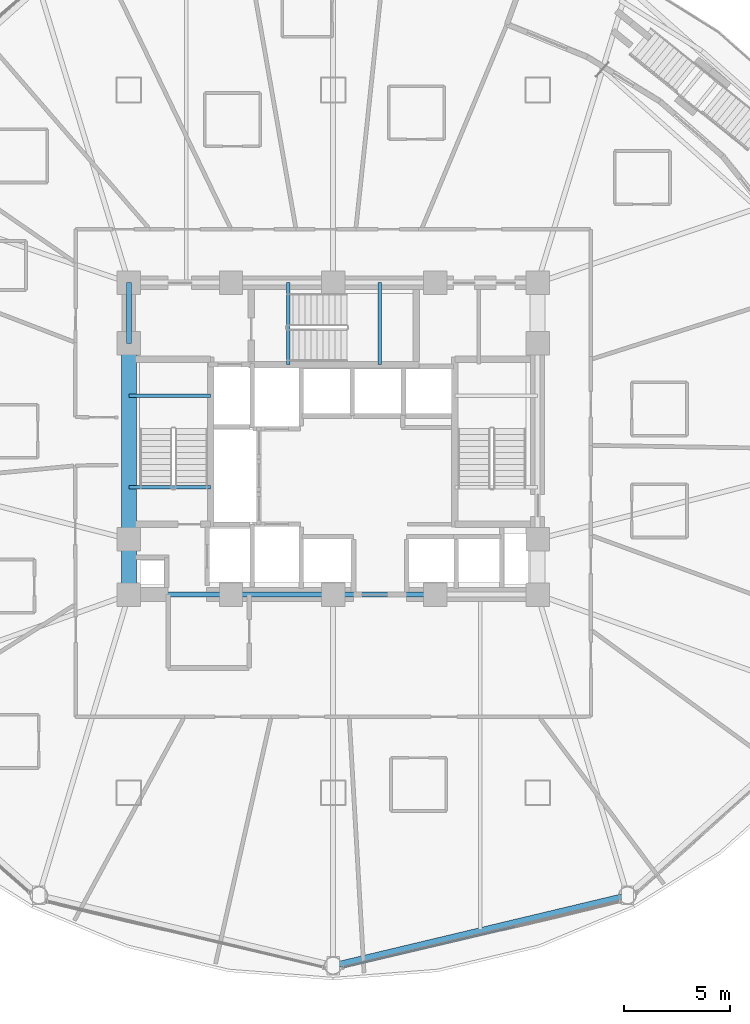
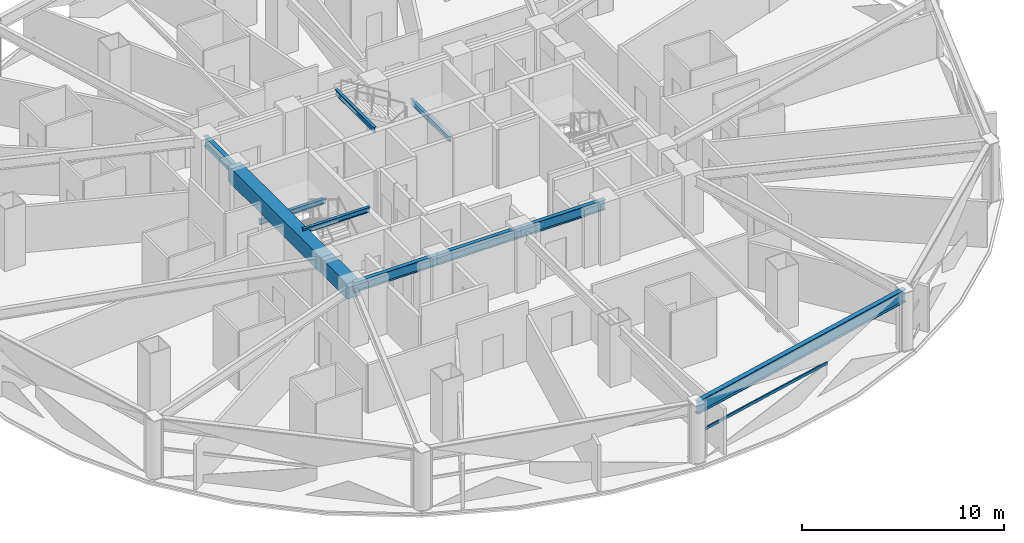
# One storey, part 7 of 33: 11 beams, 1 member, 1 element without a shape of its own.
"""IFC4 building model written with IfcOpenShell, lengths in metres."""

from ifc_helpers import new_model, si_unit, direction, frame, origin, origin_2d, place, context, subcontext, project, spatial, rectangle, hollow_rectangle, i_section, extrude, material, layer, layer_set, material_profile, profile_set, type_object, element, aggregate, save


model = new_model("IFC4")

# Units and contexts
model_context = context("Model", 3, precision=1e-05, world=origin(), true_north=direction((0.0, 1.0)))
body_context = subcontext(model_context, "Body", "Model", "MODEL_VIEW")
ifc_project = project(units=[si_unit("LENGTHUNIT", "METRE"), si_unit("AREAUNIT", "SQUARE_METRE"), si_unit("VOLUMEUNIT", "CUBIC_METRE"), si_unit("PLANEANGLEUNIT", "RADIAN"), si_unit("MASSUNIT", "GRAM", prefix="KILO")], contexts=[model_context])

# Site, building, storey
site_placement = place(None, origin())
site = spatial("IfcSite", under=ifc_project, at=site_placement, CompositionType="ELEMENT")
building_placement = place(site_placement, origin())
building = spatial("IfcBuilding", under=site, at=building_placement, Name="Vantalir Tower", CompositionType="ELEMENT")
storey_placement = place(building_placement, frame((0.0, 0.0, 68.25)))
storey = spatial("IfcBuildingStorey", under=building, at=storey_placement, Name="L16", CompositionType="ELEMENT", Elevation=68.25)

# Beams
ifc_material_1 = material(Name="Concrete C60/75", Category="concrete")
ifc_material_profile_1 = material_profile(ifc_material_1, rectangle(XDim=0.699951171875, YDim=0.949951171875, at=origin_2d()), Name="Concrete C60/75")
ifc_profile_set_1 = profile_set([ifc_material_profile_1], Name="Concrete C60/75")
beam_type_1 = type_object("IfcBeamType", Name="BM-CB-700x950", PredefinedType="USERDEFINED", material=ifc_profile_set_1)
beam_1_placement = place(storey_placement, frame((21.89990234375, 29.60009765625, 3.094970703125), z_axis=(0.0, -1.0, 0.0), x_axis=(1.0, 0.0, 0.0)))
element("IfcBeam", 1, at=beam_1_placement, inside=storey, type_object=beam_type_1, Name="L16 Core Coupling Girder 13", ObjectType="GIRDER", PredefinedType="USERDEFINED", context=body_context, shape_type="SweptSolid", body=[
    extrude(rectangle(XDim=0.699951171875, YDim=0.949951171875, at=origin_2d()), origin(), (0.0, 0.0, 1.0), 9.2001953125),
])
beam_2_placement = place(storey_placement, frame((21.89990234375, 20.39990234375, 3.094970703125), z_axis=(0.0, -1.0, 0.0), x_axis=(1.0, 0.0, 0.0)))
element("IfcBeam", 2, at=beam_2_placement, inside=storey, type_object=beam_type_1, Name="L16 Core Coupling Girder 14", ObjectType="GIRDER", PredefinedType="USERDEFINED", context=body_context, shape_type="SweptSolid", body=[
    extrude(rectangle(XDim=0.699951171875, YDim=0.949951171875, at=origin_2d()), origin(), (0.0, 0.0, 1.0), 2.599853515625),
])
ifc_material_2 = material(Name="Steel S355", Category="steel")
ifc_material_profile_2 = material_profile(ifc_material_2, i_section(OverallWidth=0.166015625, OverallDepth=0.306884765625, WebThickness=0.006591796875, FlangeThickness=0.01171875, at=origin_2d()), Name="Steel S355")
ifc_profile_set_2 = profile_set([ifc_material_profile_2], Name="Steel S355")
beam_type_2 = type_object("IfcBeamType", Name="BM-JS-305x165", PredefinedType="JOIST", material=ifc_profile_set_2)
for number, where, z_axis, x_axis, name in (
    (3, (21.89990234375, 22.8349609375, 3.595947265625), (1.0, 0.0, 0.0), (0.0, 1.0, 0.0), "L17 Stair ST1 Well Nosing Trimmer Beam"),
    (4, (21.89990234375, 27.14501953125, 1.52197265625), (1.0, 0.0, 0.0), (0.0, 1.0, 0.0), "L16 Stair ST1 Half-Landing Support Beam"),
):
    element("IfcBeam", number, at=place(storey_placement, frame(where, z_axis=z_axis, x_axis=x_axis)), inside=storey, type_object=beam_type_2, Name=name, PredefinedType="JOIST", context=body_context, shape_type="SweptSolid", body=[
        extrude(i_section(OverallWidth=0.166015625, OverallDepth=0.306884765625, WebThickness=0.006591796875, FlangeThickness=0.01171875, at=origin_2d()), origin(), (0.0, 0.0, 1.0), 3.840087890625),
    ])
for number, where, z_axis, x_axis, name in (
    (5, (29.385009765625, 28.60009765625, 3.595947265625), (0.0, 1.0, 0.0), (-1.0, 0.0, 0.0), "L17 Stair ST3 Well Nosing Trimmer Beam"),
    (6, (33.695068359375, 28.60009765625, 1.52197265625), (0.0, 1.0, 0.0), (-1.0, 0.0, 0.0), "L16 Stair ST3 Half-Landing Support Beam"),
):
    element("IfcBeam", number, at=place(storey_placement, frame(where, z_axis=z_axis, x_axis=x_axis)), inside=storey, type_object=beam_type_2, Name=name, PredefinedType="JOIST", context=body_context, shape_type="SweptSolid", body=[
        extrude(i_section(OverallWidth=0.166015625, OverallDepth=0.306884765625, WebThickness=0.006591796875, FlangeThickness=0.01171875, at=origin_2d()), origin(), (0.0, 0.0, 1.0), 3.849853515625),
    ])
ifc_material_profile_3 = material_profile(ifc_material_2, i_section(OverallWidth=0.22998046875, OverallDepth=0.616943359375, WebThickness=0.01318359375, FlangeThickness=0.022216796875, at=origin_2d()), Name="Steel S355")
ifc_profile_set_3 = profile_set([ifc_material_profile_3], Name="Steel S355")
beam_type_3 = type_object("IfcBeamType", Name="BM-RB-610x229", PredefinedType="BEAM", material=ifc_profile_set_3)
for number, where, z_axis, x_axis, name in (
    (7, (21.89990234375, 17.800048828125, 3.261962890625), (1.0, 0.0, 0.0), (0.0, 1.0, 0.0), "L16 Core Coupling Girder 01"),
    (8, (26.699951171875, 17.800048828125, 3.261962890625), (1.0, 0.0, 0.0), (0.0, 1.0, 0.0), "L16 Core Coupling Girder 02"),
    (9, (31.5, 17.800048828125, 3.261962890625), (1.0, 0.0, 0.0), (0.0, 1.0, 0.0), "L16 Core Coupling Girder 03"),
):
    element("IfcBeam", number, at=place(storey_placement, frame(where, z_axis=z_axis, x_axis=x_axis)), inside=storey, type_object=beam_type_3, Name=name, PredefinedType="BEAM", context=body_context, shape_type="SweptSolid", body=[
        extrude(i_section(OverallWidth=0.22998046875, OverallDepth=0.616943359375, WebThickness=0.01318359375, FlangeThickness=0.022216796875, at=origin_2d()), origin(), (0.0, 0.0, 1.0), 4.800048828125),
    ])
beam_3_placement = place(storey_placement, frame((21.89990234375, 32.449951171875, 3.261962890625), z_axis=(0.0, -1.0, 0.0), x_axis=(1.0, 0.0, 0.0)))
element("IfcBeam", 10, at=beam_3_placement, inside=storey, type_object=beam_type_3, Name="L16 Core Coupling Girder 12", PredefinedType="BEAM", context=body_context, shape_type="SweptSolid", body=[
    extrude(i_section(OverallWidth=0.22998046875, OverallDepth=0.616943359375, WebThickness=0.01318359375, FlangeThickness=0.022216796875, at=origin_2d()), origin(), (0.0, 0.0, 1.0), 2.849853515625),
])
ifc_material_3 = material(Name="Steel S460", Category="steel")
ifc_material_profile_4 = material_profile(ifc_material_3, i_section(OverallWidth=0.26806640625, OverallDepth=0.77001953125, WebThickness=0.015625, FlangeThickness=0.025390625, at=origin_2d()), Name="Steel S460")
ifc_profile_set_4 = profile_set([ifc_material_profile_4], Name="Steel S460")
beam_type_4 = type_object("IfcBeamType", Name="BM-RG-762x267", PredefinedType="USERDEFINED", material=ifc_profile_set_4)
beam_4_placement = place(storey_placement, frame((31.5, 0.37109375, 3.18505859375), z_axis=(0.972676867925, 0.232163112064, 0.0), x_axis=(-0.232163112064, 0.972676867925, 0.0)))
element("IfcBeam", 11, at=beam_4_placement, inside=storey, type_object=beam_type_4, Name="L16 Circumferential Ring Girder 10", ObjectType="GIRDER", PredefinedType="USERDEFINED", context=body_context, shape_type="SweptSolid", body=[
    extrude(i_section(OverallWidth=0.26806640625, OverallDepth=0.77001953125, WebThickness=0.015625, FlangeThickness=0.025390625, at=origin_2d()), origin(), (0.0, 0.0, 1.0), 14.21337890625),
])

# Curtain wall, member
ifc_material_4 = material(Name="Champagne-silver PVDF aluminium and double-silver Low-E glass", Category="aluminium")
ifc_layer = layer(ifc_material_4, 0.18994140625)
ifc_layer_set = layer_set([ifc_layer], Name="Champagne-silver PVDF aluminium and double-silver Low-E glass")
curtain_wall_type = type_object("IfcCurtainWallType", Name="CW-DIAMOND-Z1", PredefinedType="USERDEFINED", material=ifc_layer_set)
curtain_wall_placement = place(storey_placement, origin())
curtain_wall = element("IfcCurtainWall", 12, at=curtain_wall_placement, inside=storey, type_object=curtain_wall_type, Name="L16 Quilted Pyramid-Diamond Curtain Wall S10", ObjectType="UNITISED CURTAIN WALL", PredefinedType="USERDEFINED")
ifc_material_5 = material(Name="Champagne-silver PVDF aluminium 6063-T6", Category="aluminium")
ifc_material_profile_5 = material_profile(ifc_material_5, hollow_rectangle(XDim=0.074951171875, YDim=0.159912109375, WallThickness=0.00390625, at=origin_2d()), Name="Champagne-silver PVDF aluminium 6063-T6")
ifc_profile_set_5 = profile_set([ifc_material_profile_5], Name="Champagne-silver PVDF aluminium 6063-T6")
member_type = type_object("IfcMemberType", Name="CWT-160x75", PredefinedType="USERDEFINED", material=ifc_profile_set_5)
member_placement = place(storey_placement, frame((31.95703125, 0.2900390625, 1.784912109375), z_axis=(0.973289229496, 0.229582394243, 0.0), x_axis=(-0.229582394243, 0.973289229496, 0.0)))
member = element("IfcMember", 13, at=member_placement, type_object=member_type, Name="CW-L16-S10 Pyramid Fold Ridge Transom", ObjectType="TRANSOM", PredefinedType="USERDEFINED", context=body_context, shape_type="SweptSolid", body=[
    extrude(hollow_rectangle(XDim=0.074951171875, YDim=0.159912109375, WallThickness=0.00390625, at=origin_2d()), origin(), (0.0, 0.0, 1.0), 8.29345703125),
])
aggregate(curtain_wall, [member])

save(model, "model.ifc")
